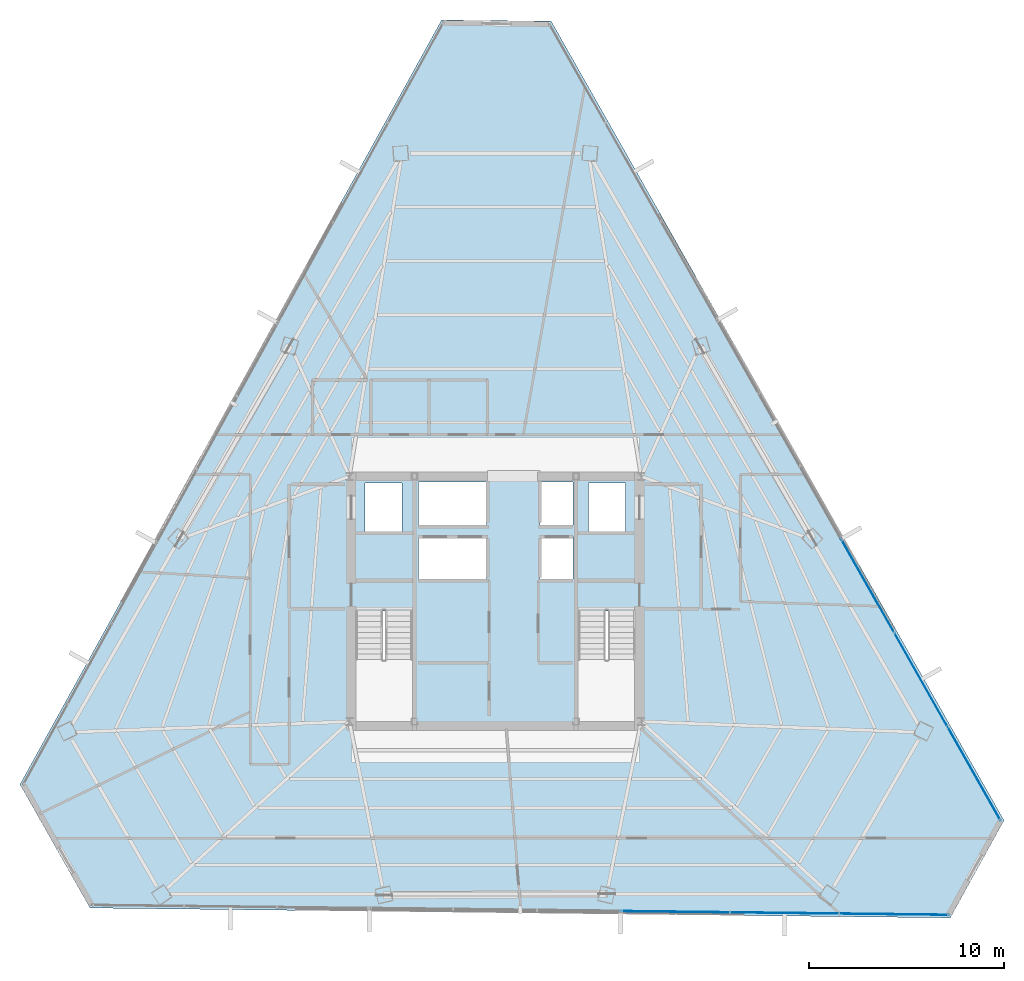
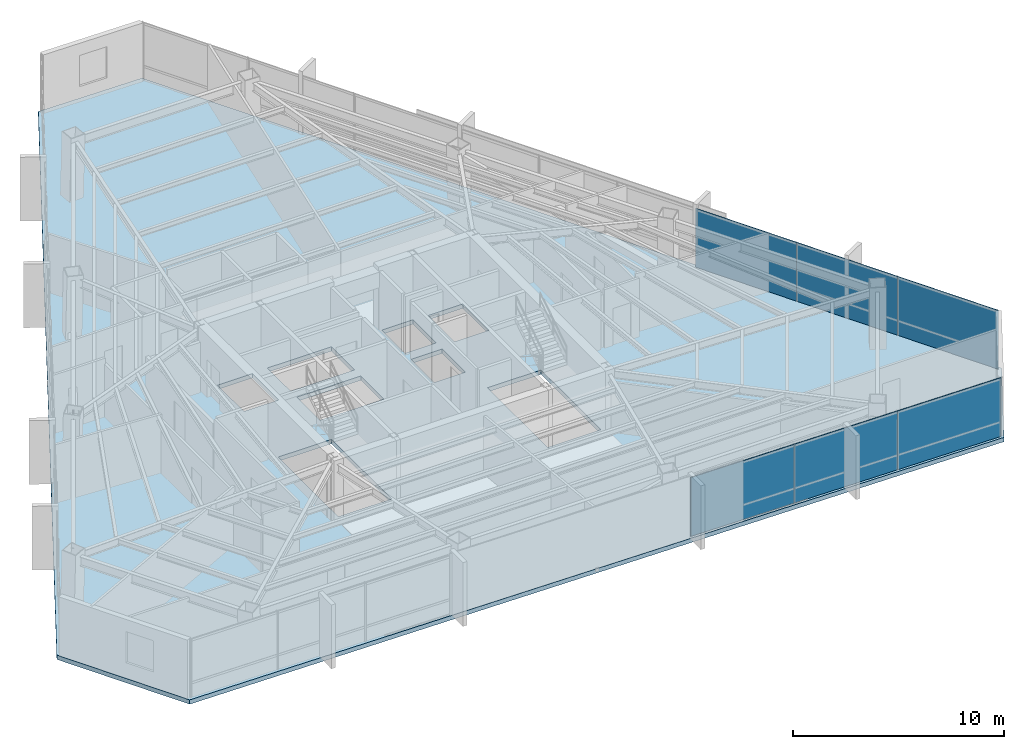
# One storey, part 34 of 40: 6 plates, 1 slab, 2 elements without a shape of their own.
"""IFC4 building model written with IfcOpenShell, lengths in metres."""

from ifc_helpers import new_model, si_unit, direction, frame, origin, origin_2d, place, context, subcontext, project, spatial, polyline, rectangle, outline, extrude, source, transform, mapped, material, layer, layer_set, type_object, type_shapes, element, aggregate, save


model = new_model("IFC4")

# Units and contexts
model_context = context("Model", 3, precision=1e-05, world=origin(), true_north=direction((0.0, 1.0)))
body_context = subcontext(model_context, "Body", "Model", "MODEL_VIEW")
ifc_project = project(units=[si_unit("LENGTHUNIT", "METRE"), si_unit("AREAUNIT", "SQUARE_METRE"), si_unit("VOLUMEUNIT", "CUBIC_METRE"), si_unit("PLANEANGLEUNIT", "RADIAN"), si_unit("MASSUNIT", "GRAM", prefix="KILO")], contexts=[model_context])

# Site, building, storey
site_placement = place(None, origin())
site = spatial("IfcSite", under=ifc_project, at=site_placement, CompositionType="ELEMENT")
building_placement = place(site_placement, origin())
building = spatial("IfcBuilding", under=site, at=building_placement, Name="Caelisora Broadcast Tower", CompositionType="ELEMENT")
storey_placement = place(building_placement, frame((0.0, 0.0, 213.25)))
storey = spatial("IfcBuildingStorey", under=building, at=storey_placement, Name="L56", CompositionType="ELEMENT", Elevation=213.25)

# Slab
ifc_material_1 = material(Name="Concrete 40 MPa (AS 3600 N40)", Category="concrete")
ifc_layer_1 = layer(ifc_material_1, 0.25, Name="Concrete 40 MPa (AS 3600 N40)")
ifc_layer_set_1 = layer_set([ifc_layer_1], Name="Concrete 40 MPa (AS 3600 N40)")
slab_type = type_object("IfcSlabType", Name="SL04", PredefinedType="FLOOR", material=ifc_layer_set_1)
slab_placement = place(storey_placement, frame((0.0, 0.0, -0.25)))
element("IfcSlab", 1, at=slab_placement, inside=storey, type_object=slab_type, Name="L56 suspended floor SL04", PredefinedType="FLOOR", context=body_context, shape_type="SweptSolid", body=[
    extrude(outline(polyline([(40.8720703125, 53.389892578125), (35.239990234375, 53.4541015625), (13.573974609375, 14.169921875), (17.172119140625, 7.820068359375), (61.381103515625, 7.31298828125), (64.14208984375, 12.319091796875), (40.8720703125, 53.389892578125)]), holes=[polyline([(30.820068359375, 17.39990234375), (33.739990234375, 17.39990234375), (33.739990234375, 23.080078125), (30.820068359375, 23.080078125), (30.820068359375, 17.39990234375)]), polyline([(42.260009765625, 17.39990234375), (45.179931640625, 17.39990234375), (45.179931640625, 23.080078125), (42.260009765625, 23.080078125), (42.260009765625, 17.39990234375)]), polyline([(42.800048828125, 27.14990234375), (44.699951171875, 27.14990234375), (44.699951171875, 29.64990234375), (42.800048828125, 29.64990234375), (42.800048828125, 27.14990234375)]), polyline([(40.300048828125, 24.719970703125), (42.0, 24.719970703125), (42.0, 26.919921875), (40.300048828125, 26.919921875), (40.300048828125, 24.719970703125)]), polyline([(40.300048828125, 27.5), (42.0, 27.5), (42.0, 29.699951171875), (40.300048828125, 29.699951171875), (40.300048828125, 27.5)]), polyline([(34.050048828125, 24.719970703125), (37.550048828125, 24.719970703125), (37.550048828125, 26.919921875), (34.050048828125, 26.919921875), (34.050048828125, 24.719970703125)]), polyline([(34.050048828125, 27.5), (37.550048828125, 27.5), (37.550048828125, 29.699951171875), (34.050048828125, 29.699951171875), (34.050048828125, 27.5)]), polyline([(31.300048828125, 27.14990234375), (33.199951171875, 27.14990234375), (33.199951171875, 29.64990234375), (31.300048828125, 29.64990234375), (31.300048828125, 27.14990234375)])]), origin(), (0.0, 0.0, 1.0), 0.25),
])

# Curtain wall, plates
ifc_material_2 = material(Name="Unitised Aluminium and Low-E Glass Curtain Wall", Category="glass")
curtain_wall_type = type_object("IfcCurtainWallType", Name="CW-Z4", PredefinedType="NOTDEFINED", material=ifc_material_2)
curtain_wall_1_placement = place(storey_placement, origin())
curtain_wall_1 = element("IfcCurtainWall", 2, at=curtain_wall_1_placement, inside=storey, type_object=curtain_wall_type, Name="L56 curtain wall CW-Z4", PredefinedType="NOTDEFINED")
ifc_material_3 = material(Name="Double Glazed Low-E Argon IGU", Category="glass")
ifc_layer_2 = layer(ifc_material_3, 0.030029296875, Name="Double Glazed Low-E Argon IGU")
ifc_layer_set_2 = layer_set([ifc_layer_2], Name="Double Glazed Low-E Argon IGU")
plate_type = type_object("IfcPlateType", Name="CWP-05", PredefinedType="CURTAIN_PANEL", material=ifc_layer_set_2)
shared_shape_1 = source(origin(), body_context, "Body", "SweptSolid", [
    extrude(rectangle(XDim=5.5419921875, YDim=0.030029296875, at=origin_2d()), origin(), (0.0, 0.0, 1.0), 3.39990234375),
])
plate_1_placement = place(storey_placement, frame((57.139892578125, 24.372802734375, 0.0), z_axis=(0.0, 0.0, 1.0), x_axis=(0.492879209759, -0.870097744272, 0.0)))
plate_1 = element("IfcPlate", 3, at=plate_1_placement, type_object=plate_type, Name="L56-CW-B03 glazed panel #1", PredefinedType="CURTAIN_PANEL", context=body_context, shape_type="MappedRepresentation", body=[
    mapped(shared_shape_1, transform((0.0, 0.0, 0.0), scale=1.0)),
])
plate_2_placement = place(storey_placement, frame((59.8720703125, 19.55078125, 0.0), z_axis=(0.0, 0.0, 1.0), x_axis=(0.492879209759, -0.870097744272, 0.0)))
plate_2 = element("IfcPlate", 4, at=plate_2_placement, type_object=plate_type, Name="L56-CW-B03 glazed panel #2", PredefinedType="CURTAIN_PANEL", context=body_context, shape_type="MappedRepresentation", body=[
    mapped(shared_shape_1, transform((0.0, 0.0, 0.0), scale=1.0)),
])
plate_3_placement = place(storey_placement, frame((62.60400390625, 14.72900390625, 0.0), z_axis=(0.0, 0.0, 1.0), x_axis=(0.492879209759, -0.870097744272, 0.0)))
plate_3 = element("IfcPlate", 5, at=plate_3_placement, type_object=plate_type, Name="L56-CW-B03 glazed panel #3", PredefinedType="CURTAIN_PANEL", context=body_context, shape_type="MappedRepresentation", body=[
    mapped(shared_shape_1, transform((0.0, 0.0, 0.0), scale=1.0)),
])
aggregate(curtain_wall_1, [plate_1, plate_2, plate_3])

curtain_wall_2_placement = place(storey_placement, origin())
curtain_wall_2 = element("IfcCurtainWall", 6, at=curtain_wall_2_placement, inside=storey, type_object=curtain_wall_type, Name="L56 curtain wall CW-Z4", PredefinedType="NOTDEFINED")
shared_shape_2 = source(origin(), body_context, "Body", "SweptSolid", [
    extrude(rectangle(XDim=5.612548828125, YDim=0.030029296875, at=origin_2d()), origin(), (0.0, 0.0, 1.0), 3.39990234375),
])
type_shapes(plate_type, [shared_shape_1, shared_shape_2])
plate_4_placement = place(storey_placement, frame((58.48681640625, 7.49609375, 0.0), z_axis=(0.0, 0.0, 1.0), x_axis=(-0.99993365506, 0.011518918316, 0.0)))
plate_4 = element("IfcPlate", 7, at=plate_4_placement, type_object=plate_type, Name="L56-CW-B05 glazed panel #1", PredefinedType="CURTAIN_PANEL", context=body_context, shape_type="MappedRepresentation", body=[
    mapped(shared_shape_2, transform((0.0, 0.0, 0.0), scale=1.0)),
])
plate_5_placement = place(storey_placement, frame((52.874755859375, 7.560546875, 0.0), z_axis=(0.0, 0.0, 1.0), x_axis=(-0.99993365506, 0.011518918316, 0.0)))
plate_5 = element("IfcPlate", 8, at=plate_5_placement, type_object=plate_type, Name="L56-CW-B05 glazed panel #2", PredefinedType="CURTAIN_PANEL", context=body_context, shape_type="MappedRepresentation", body=[
    mapped(shared_shape_2, transform((0.0, 0.0, 0.0), scale=1.0)),
])
plate_6_placement = place(storey_placement, frame((47.2626953125, 7.625, 0.0), z_axis=(0.0, 0.0, 1.0), x_axis=(-0.99993365506, 0.011518918316, 0.0)))
plate_6 = element("IfcPlate", 9, at=plate_6_placement, type_object=plate_type, Name="L56-CW-B05 glazed panel #3", PredefinedType="CURTAIN_PANEL", context=body_context, shape_type="MappedRepresentation", body=[
    mapped(shared_shape_2, transform((0.0, 0.0, 0.0), scale=1.0)),
])
aggregate(curtain_wall_2, [plate_4, plate_5, plate_6])

save(model, "model.ifc")
